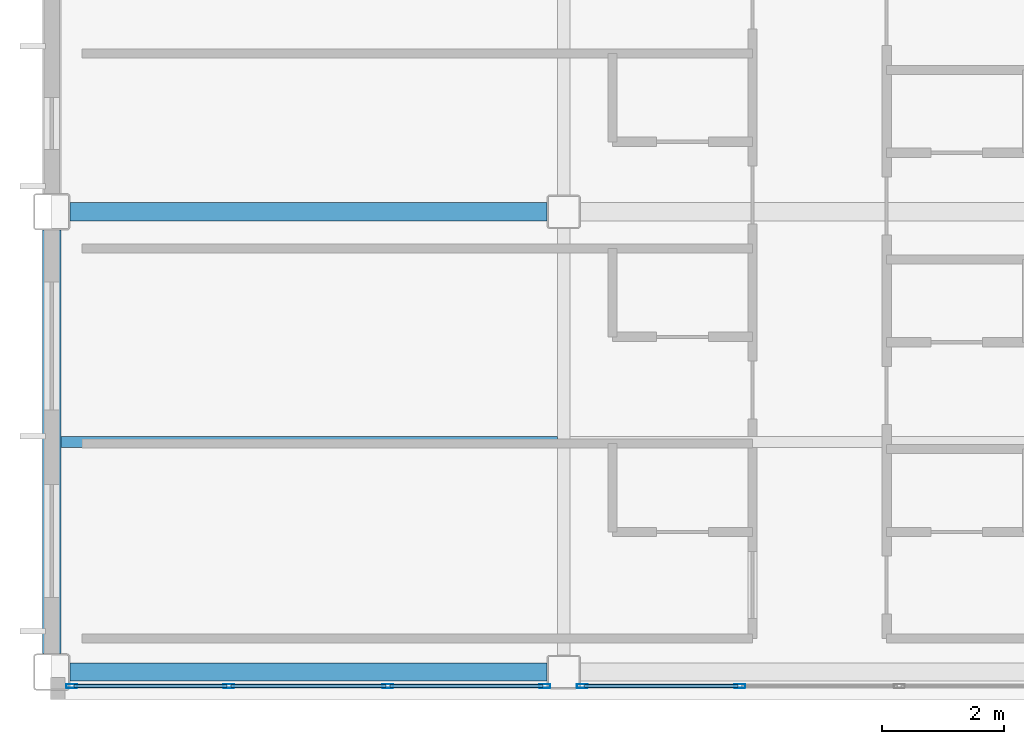
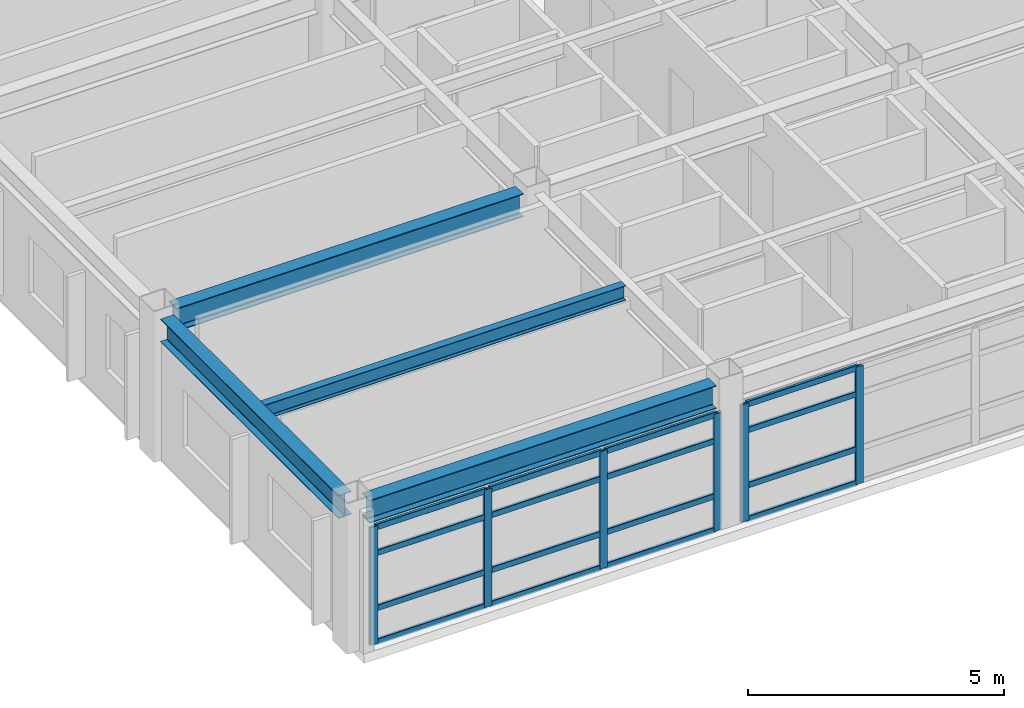
# One storey, part 3 of 38: 22 members, 4 beams, 2 elements without a shape of their own.
"""IFC4 building model written with IfcOpenShell, lengths in metres."""

import ifcopenshell
import ifcopenshell.guid

model = None  # the IFC model being written
_history = None  # IfcOwnerHistory: only IFC2X3 demands one
_inside = {}  # id of a spatial element -> (the spatial element, [elements in it])
_under = {}  # id of a project, library or spatial element -> (it, [spatial elements below it])
_declared = {}  # id of a project -> (the project, [libraries it declares])
_typed = {}  # id of a type object -> (the type object, [elements of that type])
_made_of = {}  # id of a material, layer set ... -> (it, [elements and type objects made of it])


def new_model(schema):
    """Start an empty IFC model of exactly this schema.

    Asked for "IFC4X3", IfcOpenShell would pick the latest addendum, in which some entities
    have other attributes; the version numbers below select the first issue.
    IFC2X3 requires an IfcOwnerHistory on every rooted entity: one is made here for all.
    """
    global model, _history
    if schema == "IFC4X3":
        model = ifcopenshell.file(schema_version=(4, 3, 0, 0))
    else:
        model = ifcopenshell.file(schema=schema)
    _inside.clear()
    _under.clear()
    _declared.clear()
    _typed.clear()
    _made_of.clear()
    _history = None
    if model.schema == "IFC2X3":
        org = make("IfcOrganization", Name="unknown")
        user = make(
            "IfcPersonAndOrganization",
            ThePerson=make("IfcPerson", FamilyName="unknown"),
            TheOrganization=org,
        )
        app = make(
            "IfcApplication",
            ApplicationDeveloper=org,
            Version="unknown",
            ApplicationFullName="unknown",
            ApplicationIdentifier="unknown",
        )
        _history = make(
            "IfcOwnerHistory",
            OwningUser=user,
            OwningApplication=app,
            ChangeAction="ADDED",
            CreationDate=0,
        )
    return model


def make(cls, **values):
    """One entity of the class cls with the attributes given. An attribute that is None is left unset."""
    return model.create_entity(
        cls, **{name: value for name, value in values.items() if value is not None}
    )


def rooted(cls, **values):
    """An entity with a GlobalId (a new one), such as an element, a storey or a relation."""
    return make(cls, GlobalId=ifcopenshell.guid.new(), OwnerHistory=_history, **values)


def si_unit(unit_type, name, prefix=None):
    """IfcSIUnit, for example si_unit("LENGTHUNIT", "METRE", prefix="MILLI")."""
    return make("IfcSIUnit", UnitType=unit_type, Prefix=prefix, Name=name)


def assignment(units):
    """IfcUnitAssignment: the units of a project."""
    return None if units is None else make("IfcUnitAssignment", Units=units)


def point(xyz):
    """IfcCartesianPoint."""
    return None if xyz is None else make("IfcCartesianPoint", Coordinates=xyz)


def direction(xyz):
    """IfcDirection."""
    return None if xyz is None else make("IfcDirection", DirectionRatios=xyz)


def frame(location, z_axis=None, x_axis=None):
    """IfcAxis2Placement3D, a coordinate frame: its origin and axes. An axis left out is left unset."""
    return make(
        "IfcAxis2Placement3D",
        Location=point(location),
        Axis=direction(z_axis),
        RefDirection=direction(x_axis),
    )


def frame_2d(location, x_axis=None):
    """IfcAxis2Placement2D, a coordinate frame in the plane: its origin and x axis."""
    return make(
        "IfcAxis2Placement2D", Location=point(location), RefDirection=direction(x_axis)
    )


def origin():
    """The frame at (0, 0, 0) with its axes left unset."""
    return frame((0.0, 0.0, 0.0))


def origin_2d():
    """The frame at (0, 0) in the plane with its x axis left unset."""
    return frame_2d((0.0, 0.0))


def place(relative_to, where):
    """IfcLocalPlacement: puts the frame where relative to a parent placement (None: the world)."""
    return make(
        "IfcLocalPlacement", PlacementRelTo=relative_to, RelativePlacement=where
    )


def context(
    kind, dimensions, precision=None, world=None, true_north=None, identifier=None
):
    """IfcGeometricRepresentationContext, for example the 3D "Model" context."""
    return make(
        "IfcGeometricRepresentationContext",
        ContextIdentifier=identifier,
        ContextType=kind,
        CoordinateSpaceDimension=dimensions,
        Precision=precision,
        WorldCoordinateSystem=world,
        TrueNorth=true_north,
    )


def subcontext(parent, identifier, kind, view, scale=None):
    """IfcGeometricRepresentationSubContext, for example "Body" below "Model"."""
    return make(
        "IfcGeometricRepresentationSubContext",
        ContextIdentifier=identifier,
        ContextType=kind,
        ParentContext=parent,
        TargetScale=scale,
        TargetView=view,
    )


def project(units=None, contexts=None):
    """IfcProject with its units and contexts."""
    return rooted(
        "IfcProject",
        Name="project",
        RepresentationContexts=contexts,
        UnitsInContext=assignment(units),
    )


def spatial(cls, under=None, at=None, **own):
    """A site, building, storey or space (cls), placed at a placement, below another one or the project."""
    s = rooted(cls, ObjectPlacement=at, **own)
    if under is not None:
        _under.setdefault(under.id(), (under, []))[1].append(s)
    return s


def profile(cls, at=None, kind="AREA", **sizes):
    """A parametric profile (cls). Its sizes go by their IFC names, for example OverallWidth=200.0."""
    return make(cls, ProfileType=kind, Position=at, **sizes)


def hollow_rectangle(**sizes):
    """IfcRectangleHollowProfileDef."""
    return profile("IfcRectangleHollowProfileDef", **sizes)


def i_section(**sizes):
    """IfcIShapeProfileDef."""
    return profile("IfcIShapeProfileDef", **sizes)


def extrude(swept, where, along, depth):
    """IfcExtrudedAreaSolid: the profile swept, set in the frame where, extruded along a direction by depth."""
    return make(
        "IfcExtrudedAreaSolid",
        SweptArea=swept,
        Position=where,
        ExtrudedDirection=direction(along),
        Depth=depth,
    )


def shape(context_of_items, identifier, shape_type, items):
    """IfcShapeRepresentation: the items that make up one representation, for example the "Body"."""
    return make(
        "IfcShapeRepresentation",
        ContextOfItems=context_of_items,
        RepresentationIdentifier=identifier,
        RepresentationType=shape_type,
        Items=items,
    )


def material(Name=None, Category=None):
    """IfcMaterial."""
    return make("IfcMaterial", Name=Name, Category=Category)


def layer(
    of_material, thickness, ventilated=None, Name=None, Category=None, Priority=None
):
    """IfcMaterialLayer: one layer of a wall or slab, of a material (None: an air gap)."""
    return make(
        "IfcMaterialLayer",
        Material=of_material,
        LayerThickness=thickness,
        IsVentilated=ventilated,
        Name=Name,
        Category=Category,
        Priority=Priority,
    )


def layer_set(layers, Name=None):
    """IfcMaterialLayerSet."""
    return make("IfcMaterialLayerSet", MaterialLayers=layers, LayerSetName=Name)


def material_profile(
    of_material, cross_section, Name=None, Category=None, Priority=None
):
    """IfcMaterialProfile: a cross section and its material."""
    return make(
        "IfcMaterialProfile",
        Name=Name,
        Material=of_material,
        Profile=cross_section,
        Priority=Priority,
        Category=Category,
    )


def profile_set(profiles, Name=None, composite=None):
    """IfcMaterialProfileSet."""
    return make(
        "IfcMaterialProfileSet",
        Name=Name,
        MaterialProfiles=profiles,
        CompositeProfile=composite,
    )


def made_of(thing, what):
    """Note that an element or type object is made of a material, layer set ...; save() writes the relation."""
    if what is not None:
        _made_of.setdefault(what.id(), (what, []))[1].append(thing)
    return thing


def type_object(cls, material=None, **own):
    """A type object (cls), such as IfcWallType, which elements share."""
    return made_of(rooted(cls, **own), material)


def element(
    cls,
    number,
    at=None,
    inside=None,
    cuts=None,
    type_object=None,
    material=None,
    context=None,
    identifier="Body",
    shape_type=None,
    held_by="IfcProductDefinitionShape",
    body=None,
    shapes=None,
    **own,
):
    """One element of the class cls, such as IfcWall. Its Tag is "e" and its number.

    at: its placement. inside: the storey or other place that contains it. cuts: it is an
    opening in that element (IfcRelVoidsElement). A single representation is given by context,
    identifier, shape_type and body (its items); several are given by shapes. held_by: the class
    of the entity that holds the representations. save() writes the other relations.
    """
    e = rooted(cls, Tag="e%d" % number, ObjectPlacement=at, **own)
    if body is not None:
        shapes = [shape(context, identifier, shape_type, body)]
    if shapes is not None:
        e.Representation = make(held_by, Representations=shapes)
    if inside is not None:
        _inside.setdefault(inside.id(), (inside, []))[1].append(e)
    if cuts is not None:
        rooted(
            "IfcRelVoidsElement", RelatingBuildingElement=cuts, RelatedOpeningElement=e
        )
    if type_object is not None:
        _typed.setdefault(type_object.id(), (type_object, []))[1].append(e)
    return made_of(e, material)


def aggregate(whole, parts):
    """IfcRelAggregates: a whole, such as a stair, and the parts it consists of."""
    return rooted("IfcRelAggregates", RelatingObject=whole, RelatedObjects=parts)


def save(model, path):
    """Write the relations noted so far, then the file.

    IfcRelAggregates (storeys below a building ...), IfcRelContainedInSpatialStructure (elements
    in a storey), IfcRelDefinesByType, IfcRelAssociatesMaterial and IfcRelDeclares: one each for
    every whole, place, type object, material and project.
    """
    for whole, parts in _under.values():
        aggregate(whole, parts)
    for where, things in _inside.values():
        rooted(
            "IfcRelContainedInSpatialStructure",
            RelatedElements=things,
            RelatingStructure=where,
        )
    for kind, things in _typed.values():
        rooted("IfcRelDefinesByType", RelatedObjects=things, RelatingType=kind)
    for what, things in _made_of.values():
        rooted("IfcRelAssociatesMaterial", RelatedObjects=things, RelatingMaterial=what)
    for by, libraries in _declared.values():
        rooted("IfcRelDeclares", RelatingContext=by, RelatedDefinitions=libraries)
    model.write(path)


model = new_model("IFC4")

# Units and contexts
model_context = context("Model", 3, precision=1e-05, world=origin(), true_north=direction((0.0, 1.0)))
body_context = subcontext(model_context, "Body", "Model", "MODEL_VIEW")
ifc_project = project(units=[si_unit("LENGTHUNIT", "METRE"), si_unit("AREAUNIT", "SQUARE_METRE"), si_unit("VOLUMEUNIT", "CUBIC_METRE"), si_unit("PLANEANGLEUNIT", "RADIAN"), si_unit("MASSUNIT", "GRAM", prefix="KILO")], contexts=[model_context])

# Site, building, storey
site_placement = place(None, origin())
site = spatial("IfcSite", under=ifc_project, at=site_placement, CompositionType="ELEMENT")
building_placement = place(site_placement, origin())
building = spatial("IfcBuilding", under=site, at=building_placement, Name="Kazehara Bluff Congress Hotel", CompositionType="ELEMENT")
storey_placement = place(building_placement, frame((0.0, 0.0, 24.60009765625)))
storey = spatial("IfcBuildingStorey", under=building, at=storey_placement, Name="L05", CompositionType="ELEMENT", Elevation=24.60009765625)

# Curtain wall, members
ifc_material_1 = material(Name="Anodised aluminium", Category="aluminium")
ifc_layer_1 = layer(ifc_material_1, 0.159912109375)
ifc_layer_set_1 = layer_set([ifc_layer_1], Name="Anodised aluminium")
curtain_wall_type_1 = type_object("IfcCurtainWallType", Name="TP-CW-171", PredefinedType="NOTDEFINED", material=ifc_layer_set_1)
curtain_wall_1_placement = place(storey_placement, origin())
curtain_wall_1 = element("IfcCurtainWall", 1, at=curtain_wall_1_placement, inside=storey, type_object=curtain_wall_type_1, Name="L05 curtain wall CW-171 CW-ENC-V5-L05-14791-22", PredefinedType="NOTDEFINED")
ifc_material_2 = material(Name="Anodised aluminium", Category="aluminium")
ifc_material_profile_1 = material_profile(ifc_material_2, hollow_rectangle(XDim=0.06494140625, YDim=0.179931640625, WallThickness=0.00390625, InnerFilletRadius=0.00390625, OuterFilletRadius=0.008056640625, at=origin_2d()))
ifc_profile_set_1 = profile_set([ifc_material_profile_1], Name="Anodised aluminium")
member_type_1 = type_object("IfcMemberType", Name="TP-CWM-02", PredefinedType="MULLION", material=ifc_profile_set_1)
member_1_placement = place(storey_placement, frame((151.79248046875, 0.219970703125, 0.0), z_axis=(0.0, 0.0, 1.0), x_axis=(0.0, -1.0, 0.0)))
member_1 = element("IfcMember", 2, at=member_1_placement, type_object=member_type_1, Name="CW-171 mullion 1", PredefinedType="MULLION", context=body_context, shape_type="SweptSolid", body=[
    extrude(hollow_rectangle(XDim=0.06494140625, YDim=0.179931640625, WallThickness=0.00390625, InnerFilletRadius=0.00390625, OuterFilletRadius=0.008056640625, at=origin_2d()), origin(), (0.0, 0.0, 1.0), 2.804931640625),
])
member_2_placement = place(storey_placement, frame((149.216552734375, 0.219970703125, 0.0), z_axis=(0.0, 0.0, 1.0), x_axis=(0.0, -1.0, 0.0)))
member_2 = element("IfcMember", 3, at=member_2_placement, type_object=member_type_1, Name="CW-171 mullion 2", PredefinedType="MULLION", context=body_context, shape_type="SweptSolid", body=[
    extrude(hollow_rectangle(XDim=0.06494140625, YDim=0.179931640625, WallThickness=0.00390625, InnerFilletRadius=0.00390625, OuterFilletRadius=0.008056640625, at=origin_2d()), origin(), (0.0, 0.0, 1.0), 2.804931640625),
])
member_3_placement = place(storey_placement, frame((146.6083984375, 0.219970703125, 0.0), z_axis=(0.0, 0.0, 1.0), x_axis=(0.0, -1.0, 0.0)))
member_3 = element("IfcMember", 4, at=member_3_placement, type_object=member_type_1, Name="CW-171 mullion 3", PredefinedType="MULLION", context=body_context, shape_type="SweptSolid", body=[
    extrude(hollow_rectangle(XDim=0.06494140625, YDim=0.179931640625, WallThickness=0.00390625, InnerFilletRadius=0.00390625, OuterFilletRadius=0.008056640625, at=origin_2d()), origin(), (0.0, 0.0, 1.0), 2.804931640625),
])
member_4_placement = place(storey_placement, frame((144.032470703125, 0.219970703125, 0.0), z_axis=(0.0, 0.0, 1.0), x_axis=(0.0, -1.0, 0.0)))
member_4 = element("IfcMember", 5, at=member_4_placement, type_object=member_type_1, Name="CW-171 mullion 4", PredefinedType="MULLION", context=body_context, shape_type="SweptSolid", body=[
    extrude(hollow_rectangle(XDim=0.06494140625, YDim=0.179931640625, WallThickness=0.00390625, InnerFilletRadius=0.00390625, OuterFilletRadius=0.008056640625, at=origin_2d()), origin(), (0.0, 0.0, 1.0), 2.804931640625),
])

ifc_material_3 = material(Name="Anodised aluminium", Category="aluminium")
ifc_layer_2 = layer(ifc_material_3, 0.159912109375)
ifc_layer_set_2 = layer_set([ifc_layer_2], Name="Anodised aluminium")
curtain_wall_type_2 = type_object("IfcCurtainWallType", Name="TP-CW-172", PredefinedType="NOTDEFINED", material=ifc_layer_set_2)
curtain_wall_2_placement = place(storey_placement, origin())
curtain_wall_2 = element("IfcCurtainWall", 6, at=curtain_wall_2_placement, inside=storey, type_object=curtain_wall_type_2, Name="L05 curtain wall CW-172 CW-ENC-V5-L05-15630-22", PredefinedType="NOTDEFINED")
member_5_placement = place(storey_placement, frame((154.99169921875, 0.219970703125, 0.0), z_axis=(0.0, 0.0, 1.0), x_axis=(0.0, -1.0, 0.0)))
member_5 = element("IfcMember", 7, at=member_5_placement, type_object=member_type_1, Name="CW-172 mullion 3", PredefinedType="MULLION", context=body_context, shape_type="SweptSolid", body=[
    extrude(hollow_rectangle(XDim=0.06494140625, YDim=0.179931640625, WallThickness=0.00390625, InnerFilletRadius=0.00390625, OuterFilletRadius=0.008056640625, at=origin_2d()), origin(), (0.0, 0.0, 1.0), 2.804931640625),
])
member_6_placement = place(storey_placement, frame((152.407470703125, 0.219970703125, 0.0), z_axis=(0.0, 0.0, 1.0), x_axis=(0.0, -1.0, 0.0)))
member_6 = element("IfcMember", 8, at=member_6_placement, type_object=member_type_1, Name="CW-172 mullion 4", PredefinedType="MULLION", context=body_context, shape_type="SweptSolid", body=[
    extrude(hollow_rectangle(XDim=0.06494140625, YDim=0.179931640625, WallThickness=0.00390625, InnerFilletRadius=0.00390625, OuterFilletRadius=0.008056640625, at=origin_2d()), origin(), (0.0, 0.0, 1.0), 2.804931640625),
])

# Member
ifc_material_4 = material(Name="Anodised aluminium", Category="aluminium")
ifc_material_profile_2 = material_profile(ifc_material_4, hollow_rectangle(XDim=0.06494140625, YDim=0.139892578125, WallThickness=0.00390625, InnerFilletRadius=0.00390625, OuterFilletRadius=0.008056640625, at=origin_2d()))
ifc_profile_set_2 = profile_set([ifc_material_profile_2], Name="Anodised aluminium")
member_type_2 = type_object("IfcMemberType", Name="TP-CWT-02", PredefinedType="USERDEFINED", material=ifc_profile_set_2)
member_7_placement = place(storey_placement, frame((151.760009765625, 0.219970703125, 0.032470703125), z_axis=(-1.0, 0.0, 0.0), x_axis=(0.0, -1.0, 0.0)))
member_7 = element("IfcMember", 9, at=member_7_placement, type_object=member_type_2, Name="CW-171 transom 1.1", ObjectType="TRANSOM", PredefinedType="USERDEFINED", context=body_context, shape_type="SweptSolid", body=[
    extrude(hollow_rectangle(XDim=0.06494140625, YDim=0.139892578125, WallThickness=0.00390625, InnerFilletRadius=0.00390625, OuterFilletRadius=0.008056640625, at=origin_2d()), origin(), (0.0, 0.0, 1.0), 2.5107421875),
])

member_8_placement = place(storey_placement, frame((151.760009765625, 0.219970703125, 0.83984375), z_axis=(-1.0, 0.0, 0.0), x_axis=(0.0, -1.0, 0.0)))
member_8 = element("IfcMember", 10, at=member_8_placement, type_object=member_type_2, Name="CW-171 transom 1.2", ObjectType="TRANSOM", PredefinedType="USERDEFINED", context=body_context, shape_type="SweptSolid", body=[
    extrude(hollow_rectangle(XDim=0.06494140625, YDim=0.139892578125, WallThickness=0.00390625, InnerFilletRadius=0.00390625, OuterFilletRadius=0.008056640625, at=origin_2d()), origin(), (0.0, 0.0, 1.0), 2.5107421875),
])

member_9_placement = place(storey_placement, frame((151.760009765625, 0.219970703125, 2.15478515625), z_axis=(-1.0, 0.0, 0.0), x_axis=(0.0, -1.0, 0.0)))
member_9 = element("IfcMember", 11, at=member_9_placement, type_object=member_type_2, Name="CW-171 transom 1.3", ObjectType="TRANSOM", PredefinedType="USERDEFINED", context=body_context, shape_type="SweptSolid", body=[
    extrude(hollow_rectangle(XDim=0.06494140625, YDim=0.139892578125, WallThickness=0.00390625, InnerFilletRadius=0.00390625, OuterFilletRadius=0.008056640625, at=origin_2d()), origin(), (0.0, 0.0, 1.0), 2.5107421875),
])

member_10_placement = place(storey_placement, frame((151.760009765625, 0.219970703125, 2.7724609375), z_axis=(-1.0, 0.0, 0.0), x_axis=(0.0, -1.0, 0.0)))
member_10 = element("IfcMember", 12, at=member_10_placement, type_object=member_type_2, Name="CW-171 transom 1.4", ObjectType="TRANSOM", PredefinedType="USERDEFINED", context=body_context, shape_type="SweptSolid", body=[
    extrude(hollow_rectangle(XDim=0.06494140625, YDim=0.139892578125, WallThickness=0.00390625, InnerFilletRadius=0.00390625, OuterFilletRadius=0.008056640625, at=origin_2d()), origin(), (0.0, 0.0, 1.0), 2.5107421875),
])

member_11_placement = place(storey_placement, frame((149.18408203125, 0.219970703125, 0.032470703125), z_axis=(-1.0, 0.0, 0.0), x_axis=(0.0, -1.0, 0.0)))
member_11 = element("IfcMember", 13, at=member_11_placement, type_object=member_type_2, Name="CW-171 transom 2.1", ObjectType="TRANSOM", PredefinedType="USERDEFINED", context=body_context, shape_type="SweptSolid", body=[
    extrude(hollow_rectangle(XDim=0.06494140625, YDim=0.139892578125, WallThickness=0.00390625, InnerFilletRadius=0.00390625, OuterFilletRadius=0.008056640625, at=origin_2d()), origin(), (0.0, 0.0, 1.0), 2.543212890625),
])

member_12_placement = place(storey_placement, frame((149.18408203125, 0.219970703125, 0.83984375), z_axis=(-1.0, 0.0, 0.0), x_axis=(0.0, -1.0, 0.0)))
member_12 = element("IfcMember", 14, at=member_12_placement, type_object=member_type_2, Name="CW-171 transom 2.2", ObjectType="TRANSOM", PredefinedType="USERDEFINED", context=body_context, shape_type="SweptSolid", body=[
    extrude(hollow_rectangle(XDim=0.06494140625, YDim=0.139892578125, WallThickness=0.00390625, InnerFilletRadius=0.00390625, OuterFilletRadius=0.008056640625, at=origin_2d()), origin(), (0.0, 0.0, 1.0), 2.543212890625),
])

member_13_placement = place(storey_placement, frame((149.18408203125, 0.219970703125, 2.15478515625), z_axis=(-1.0, 0.0, 0.0), x_axis=(0.0, -1.0, 0.0)))
member_13 = element("IfcMember", 15, at=member_13_placement, type_object=member_type_2, Name="CW-171 transom 2.3", ObjectType="TRANSOM", PredefinedType="USERDEFINED", context=body_context, shape_type="SweptSolid", body=[
    extrude(hollow_rectangle(XDim=0.06494140625, YDim=0.139892578125, WallThickness=0.00390625, InnerFilletRadius=0.00390625, OuterFilletRadius=0.008056640625, at=origin_2d()), origin(), (0.0, 0.0, 1.0), 2.543212890625),
])

member_14_placement = place(storey_placement, frame((149.18408203125, 0.219970703125, 2.7724609375), z_axis=(-1.0, 0.0, 0.0), x_axis=(0.0, -1.0, 0.0)))
member_14 = element("IfcMember", 16, at=member_14_placement, type_object=member_type_2, Name="CW-171 transom 2.4", ObjectType="TRANSOM", PredefinedType="USERDEFINED", context=body_context, shape_type="SweptSolid", body=[
    extrude(hollow_rectangle(XDim=0.06494140625, YDim=0.139892578125, WallThickness=0.00390625, InnerFilletRadius=0.00390625, OuterFilletRadius=0.008056640625, at=origin_2d()), origin(), (0.0, 0.0, 1.0), 2.543212890625),
])

member_15_placement = place(storey_placement, frame((146.575927734375, 0.219970703125, 0.032470703125), z_axis=(-1.0, 0.0, 0.0), x_axis=(0.0, -1.0, 0.0)))
member_15 = element("IfcMember", 17, at=member_15_placement, type_object=member_type_2, Name="CW-171 transom 3.1", ObjectType="TRANSOM", PredefinedType="USERDEFINED", context=body_context, shape_type="SweptSolid", body=[
    extrude(hollow_rectangle(XDim=0.06494140625, YDim=0.139892578125, WallThickness=0.00390625, InnerFilletRadius=0.00390625, OuterFilletRadius=0.008056640625, at=origin_2d()), origin(), (0.0, 0.0, 1.0), 2.510986328125),
])

member_16_placement = place(storey_placement, frame((146.575927734375, 0.219970703125, 0.83984375), z_axis=(-1.0, 0.0, 0.0), x_axis=(0.0, -1.0, 0.0)))
member_16 = element("IfcMember", 18, at=member_16_placement, type_object=member_type_2, Name="CW-171 transom 3.2", ObjectType="TRANSOM", PredefinedType="USERDEFINED", context=body_context, shape_type="SweptSolid", body=[
    extrude(hollow_rectangle(XDim=0.06494140625, YDim=0.139892578125, WallThickness=0.00390625, InnerFilletRadius=0.00390625, OuterFilletRadius=0.008056640625, at=origin_2d()), origin(), (0.0, 0.0, 1.0), 2.510986328125),
])

member_17_placement = place(storey_placement, frame((146.575927734375, 0.219970703125, 2.15478515625), z_axis=(-1.0, 0.0, 0.0), x_axis=(0.0, -1.0, 0.0)))
member_17 = element("IfcMember", 19, at=member_17_placement, type_object=member_type_2, Name="CW-171 transom 3.3", ObjectType="TRANSOM", PredefinedType="USERDEFINED", context=body_context, shape_type="SweptSolid", body=[
    extrude(hollow_rectangle(XDim=0.06494140625, YDim=0.139892578125, WallThickness=0.00390625, InnerFilletRadius=0.00390625, OuterFilletRadius=0.008056640625, at=origin_2d()), origin(), (0.0, 0.0, 1.0), 2.510986328125),
])

member_18_placement = place(storey_placement, frame((146.575927734375, 0.219970703125, 2.7724609375), z_axis=(-1.0, 0.0, 0.0), x_axis=(0.0, -1.0, 0.0)))
member_18 = element("IfcMember", 20, at=member_18_placement, type_object=member_type_2, Name="CW-171 transom 3.4", ObjectType="TRANSOM", PredefinedType="USERDEFINED", context=body_context, shape_type="SweptSolid", body=[
    extrude(hollow_rectangle(XDim=0.06494140625, YDim=0.139892578125, WallThickness=0.00390625, InnerFilletRadius=0.00390625, OuterFilletRadius=0.008056640625, at=origin_2d()), origin(), (0.0, 0.0, 1.0), 2.510986328125),
])

aggregate(curtain_wall_1, [member_1, member_2, member_3, member_4, member_7, member_8, member_9, member_10, member_11, member_12, member_13, member_14, member_15, member_16, member_17, member_18])

member_19_placement = place(storey_placement, frame((154.959228515625, 0.219970703125, 0.032470703125), z_axis=(-1.0, 0.0, 0.0), x_axis=(0.0, -1.0, 0.0)))
member_19 = element("IfcMember", 21, at=member_19_placement, type_object=member_type_2, Name="CW-172 transom 3.1", ObjectType="TRANSOM", PredefinedType="USERDEFINED", context=body_context, shape_type="SweptSolid", body=[
    extrude(hollow_rectangle(XDim=0.06494140625, YDim=0.139892578125, WallThickness=0.00390625, InnerFilletRadius=0.00390625, OuterFilletRadius=0.008056640625, at=origin_2d()), origin(), (0.0, 0.0, 1.0), 2.519287109375),
])

member_20_placement = place(storey_placement, frame((154.959228515625, 0.219970703125, 0.83984375), z_axis=(-1.0, 0.0, 0.0), x_axis=(0.0, -1.0, 0.0)))
member_20 = element("IfcMember", 22, at=member_20_placement, type_object=member_type_2, Name="CW-172 transom 3.2", ObjectType="TRANSOM", PredefinedType="USERDEFINED", context=body_context, shape_type="SweptSolid", body=[
    extrude(hollow_rectangle(XDim=0.06494140625, YDim=0.139892578125, WallThickness=0.00390625, InnerFilletRadius=0.00390625, OuterFilletRadius=0.008056640625, at=origin_2d()), origin(), (0.0, 0.0, 1.0), 2.519287109375),
])

member_21_placement = place(storey_placement, frame((154.959228515625, 0.219970703125, 2.15478515625), z_axis=(-1.0, 0.0, 0.0), x_axis=(0.0, -1.0, 0.0)))
member_21 = element("IfcMember", 23, at=member_21_placement, type_object=member_type_2, Name="CW-172 transom 3.3", ObjectType="TRANSOM", PredefinedType="USERDEFINED", context=body_context, shape_type="SweptSolid", body=[
    extrude(hollow_rectangle(XDim=0.06494140625, YDim=0.139892578125, WallThickness=0.00390625, InnerFilletRadius=0.00390625, OuterFilletRadius=0.008056640625, at=origin_2d()), origin(), (0.0, 0.0, 1.0), 2.519287109375),
])

member_22_placement = place(storey_placement, frame((154.959228515625, 0.219970703125, 2.7724609375), z_axis=(-1.0, 0.0, 0.0), x_axis=(0.0, -1.0, 0.0)))
member_22 = element("IfcMember", 24, at=member_22_placement, type_object=member_type_2, Name="CW-172 transom 3.4", ObjectType="TRANSOM", PredefinedType="USERDEFINED", context=body_context, shape_type="SweptSolid", body=[
    extrude(hollow_rectangle(XDim=0.06494140625, YDim=0.139892578125, WallThickness=0.00390625, InnerFilletRadius=0.00390625, OuterFilletRadius=0.008056640625, at=origin_2d()), origin(), (0.0, 0.0, 1.0), 2.519287109375),
])

aggregate(curtain_wall_2, [member_5, member_6, member_19, member_20, member_21, member_22])

# Beams
ifc_material_5 = material(Name="Steel SN490B", Category="steel")
ifc_material_profile_3 = material_profile(ifc_material_5, i_section(OverallWidth=0.300048828125, OverallDepth=0.550048828125, WebThickness=0.010986328125, FlangeThickness=0.01806640625, FilletRadius=0.012939453125, at=origin_2d()))
ifc_profile_set_3 = profile_set([ifc_material_profile_3], Name="Steel SN490B")
beam_type_1 = type_object("IfcBeamType", Name="TP-G-12", PredefinedType="BEAM", material=ifc_profile_set_3)
for number, where, z_axis, x_axis, name in (
    (25, (144.0, 0.449951171875, 3.10498046875), (1.0, 0.0, 0.0), (0.0, 1.0, 0.0), "L05 girder G-12 44"),
    (26, (144.0, 8.0, 3.10498046875), (1.0, 0.0, 0.0), (0.0, 1.0, 0.0), "L05 girder G-12 47"),
):
    element("IfcBeam", number, at=place(storey_placement, frame(where, z_axis=z_axis, x_axis=x_axis)), inside=storey, type_object=beam_type_1, Name=name, PredefinedType="BEAM", context=body_context, shape_type="SweptSolid", body=[
        extrude(i_section(OverallWidth=0.300048828125, OverallDepth=0.550048828125, WebThickness=0.010986328125, FlangeThickness=0.01806640625, FilletRadius=0.012939453125, at=origin_2d()), origin(), (0.0, 0.0, 1.0), 7.824951171875),
    ])
ifc_material_6 = material(Name="Steel SN400B", Category="steel")
ifc_material_profile_4 = material_profile(ifc_material_6, i_section(OverallWidth=0.175048828125, OverallDepth=0.35009765625, WebThickness=0.007080078125, FlangeThickness=0.010986328125, FilletRadius=0.012939453125, at=origin_2d()))
ifc_profile_set_4 = profile_set([ifc_material_profile_4], Name="Steel SN400B")
beam_type_2 = type_object("IfcBeamType", Name="TP-J-02", PredefinedType="JOIST", material=ifc_profile_set_4)
beam_1_placement = place(storey_placement, frame((143.85009765625, 4.22509765625, 3.204833984375), z_axis=(1.0, 0.0, 0.0), x_axis=(0.0, 1.0, 0.0)))
element("IfcBeam", 27, at=beam_1_placement, inside=storey, type_object=beam_type_2, Name="L05 secondary joist J-02 1", PredefinedType="JOIST", context=body_context, shape_type="SweptSolid", body=[
    extrude(i_section(OverallWidth=0.175048828125, OverallDepth=0.35009765625, WebThickness=0.007080078125, FlangeThickness=0.010986328125, FilletRadius=0.012939453125, at=origin_2d()), origin(), (0.0, 0.0, 1.0), 8.14990234375),
])
ifc_material_7 = material(Name="Steel SN490B", Category="steel")
ifc_material_profile_5 = material_profile(ifc_material_7, i_section(OverallWidth=0.300048828125, OverallDepth=0.550048828125, WebThickness=0.010986328125, FlangeThickness=0.01806640625, FilletRadius=0.012939453125, at=origin_2d()))
ifc_profile_set_5 = profile_set([ifc_material_profile_5], Name="Steel SN490B")
beam_type_3 = type_object("IfcBeamType", Name="TP-SP-01", PredefinedType="SPANDREL", material=ifc_profile_set_5)
beam_2_placement = place(storey_placement, frame((143.699951171875, 0.75, 3.10498046875), z_axis=(0.0, 1.0, 0.0), x_axis=(-1.0, 0.0, 0.0)))
element("IfcBeam", 28, at=beam_2_placement, inside=storey, type_object=beam_type_3, Name="L05 girder SP-01 1", PredefinedType="SPANDREL", context=body_context, shape_type="SweptSolid", body=[
    extrude(i_section(OverallWidth=0.300048828125, OverallDepth=0.550048828125, WebThickness=0.010986328125, FlangeThickness=0.01806640625, FilletRadius=0.012939453125, at=origin_2d()), origin(), (0.0, 0.0, 1.0), 6.949951171875),
])

save(model, "model.ifc")
